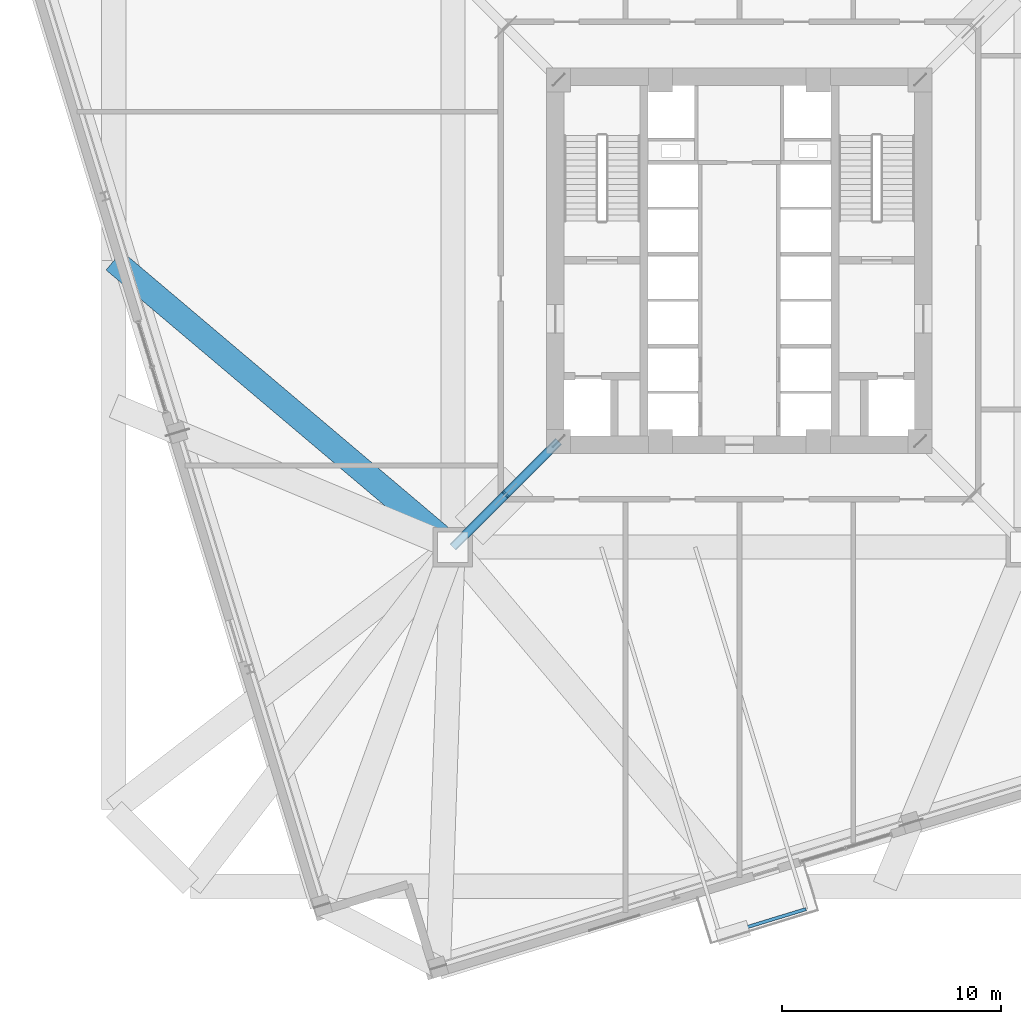
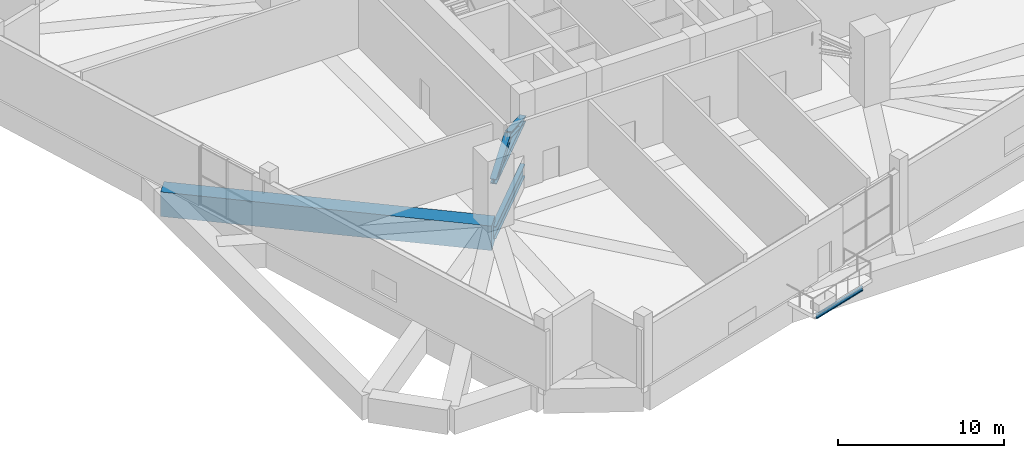
# One storey, part 4 of 22: 3 beams, 3 members.
"""IFC4 building model written with IfcOpenShell, lengths in metres."""

import ifcopenshell
import ifcopenshell.guid

model = None  # the IFC model being written
_history = None  # IfcOwnerHistory: only IFC2X3 demands one
_inside = {}  # id of a spatial element -> (the spatial element, [elements in it])
_under = {}  # id of a project, library or spatial element -> (it, [spatial elements below it])
_declared = {}  # id of a project -> (the project, [libraries it declares])
_typed = {}  # id of a type object -> (the type object, [elements of that type])
_made_of = {}  # id of a material, layer set ... -> (it, [elements and type objects made of it])


def new_model(schema):
    """Start an empty IFC model of exactly this schema.

    Asked for "IFC4X3", IfcOpenShell would pick the latest addendum, in which some entities
    have other attributes; the version numbers below select the first issue.
    IFC2X3 requires an IfcOwnerHistory on every rooted entity: one is made here for all.
    """
    global model, _history
    if schema == "IFC4X3":
        model = ifcopenshell.file(schema_version=(4, 3, 0, 0))
    else:
        model = ifcopenshell.file(schema=schema)
    _inside.clear()
    _under.clear()
    _declared.clear()
    _typed.clear()
    _made_of.clear()
    _history = None
    if model.schema == "IFC2X3":
        org = make("IfcOrganization", Name="unknown")
        user = make(
            "IfcPersonAndOrganization",
            ThePerson=make("IfcPerson", FamilyName="unknown"),
            TheOrganization=org,
        )
        app = make(
            "IfcApplication",
            ApplicationDeveloper=org,
            Version="unknown",
            ApplicationFullName="unknown",
            ApplicationIdentifier="unknown",
        )
        _history = make(
            "IfcOwnerHistory",
            OwningUser=user,
            OwningApplication=app,
            ChangeAction="ADDED",
            CreationDate=0,
        )
    return model


def make(cls, **values):
    """One entity of the class cls with the attributes given. An attribute that is None is left unset."""
    return model.create_entity(
        cls, **{name: value for name, value in values.items() if value is not None}
    )


def rooted(cls, **values):
    """An entity with a GlobalId (a new one), such as an element, a storey or a relation."""
    return make(cls, GlobalId=ifcopenshell.guid.new(), OwnerHistory=_history, **values)


def si_unit(unit_type, name, prefix=None):
    """IfcSIUnit, for example si_unit("LENGTHUNIT", "METRE", prefix="MILLI")."""
    return make("IfcSIUnit", UnitType=unit_type, Prefix=prefix, Name=name)


def assignment(units):
    """IfcUnitAssignment: the units of a project."""
    return None if units is None else make("IfcUnitAssignment", Units=units)


def point(xyz):
    """IfcCartesianPoint."""
    return None if xyz is None else make("IfcCartesianPoint", Coordinates=xyz)


def direction(xyz):
    """IfcDirection."""
    return None if xyz is None else make("IfcDirection", DirectionRatios=xyz)


def frame(location, z_axis=None, x_axis=None):
    """IfcAxis2Placement3D, a coordinate frame: its origin and axes. An axis left out is left unset."""
    return make(
        "IfcAxis2Placement3D",
        Location=point(location),
        Axis=direction(z_axis),
        RefDirection=direction(x_axis),
    )


def frame_2d(location, x_axis=None):
    """IfcAxis2Placement2D, a coordinate frame in the plane: its origin and x axis."""
    return make(
        "IfcAxis2Placement2D", Location=point(location), RefDirection=direction(x_axis)
    )


def origin():
    """The frame at (0, 0, 0) with its axes left unset."""
    return frame((0.0, 0.0, 0.0))


def origin_2d():
    """The frame at (0, 0) in the plane with its x axis left unset."""
    return frame_2d((0.0, 0.0))


def place(relative_to, where):
    """IfcLocalPlacement: puts the frame where relative to a parent placement (None: the world)."""
    return make(
        "IfcLocalPlacement", PlacementRelTo=relative_to, RelativePlacement=where
    )


def context(
    kind, dimensions, precision=None, world=None, true_north=None, identifier=None
):
    """IfcGeometricRepresentationContext, for example the 3D "Model" context."""
    return make(
        "IfcGeometricRepresentationContext",
        ContextIdentifier=identifier,
        ContextType=kind,
        CoordinateSpaceDimension=dimensions,
        Precision=precision,
        WorldCoordinateSystem=world,
        TrueNorth=true_north,
    )


def subcontext(parent, identifier, kind, view, scale=None):
    """IfcGeometricRepresentationSubContext, for example "Body" below "Model"."""
    return make(
        "IfcGeometricRepresentationSubContext",
        ContextIdentifier=identifier,
        ContextType=kind,
        ParentContext=parent,
        TargetScale=scale,
        TargetView=view,
    )


def project(units=None, contexts=None):
    """IfcProject with its units and contexts."""
    return rooted(
        "IfcProject",
        Name="project",
        RepresentationContexts=contexts,
        UnitsInContext=assignment(units),
    )


def spatial(cls, under=None, at=None, **own):
    """A site, building, storey or space (cls), placed at a placement, below another one or the project."""
    s = rooted(cls, ObjectPlacement=at, **own)
    if under is not None:
        _under.setdefault(under.id(), (under, []))[1].append(s)
    return s


def profile(cls, at=None, kind="AREA", **sizes):
    """A parametric profile (cls). Its sizes go by their IFC names, for example OverallWidth=200.0."""
    return make(cls, ProfileType=kind, Position=at, **sizes)


def rectangle(**sizes):
    """IfcRectangleProfileDef."""
    return profile("IfcRectangleProfileDef", **sizes)


def i_section(**sizes):
    """IfcIShapeProfileDef."""
    return profile("IfcIShapeProfileDef", **sizes)


def extrude(swept, where, along, depth):
    """IfcExtrudedAreaSolid: the profile swept, set in the frame where, extruded along a direction by depth."""
    return make(
        "IfcExtrudedAreaSolid",
        SweptArea=swept,
        Position=where,
        ExtrudedDirection=direction(along),
        Depth=depth,
    )


def shape(context_of_items, identifier, shape_type, items):
    """IfcShapeRepresentation: the items that make up one representation, for example the "Body"."""
    return make(
        "IfcShapeRepresentation",
        ContextOfItems=context_of_items,
        RepresentationIdentifier=identifier,
        RepresentationType=shape_type,
        Items=items,
    )


def source(mapping_origin, context_of_items, identifier, shape_type, items):
    """IfcRepresentationMap: a shape defined once, which mapped items show again and again."""
    return make(
        "IfcRepresentationMap",
        MappingOrigin=mapping_origin,
        MappedRepresentation=shape(context_of_items, identifier, shape_type, items),
    )


def transform(
    local_origin,
    x_axis=None,
    y_axis=None,
    z_axis=None,
    scale=None,
    scale2=None,
    scale3=None,
    uniform=True,
):
    """IfcCartesianTransformationOperator3D, or its non-uniform kind. x_axis, y_axis, z_axis: its Axis1, 2, 3."""
    if uniform:
        return make(
            "IfcCartesianTransformationOperator3D",
            Axis1=direction(x_axis),
            Axis2=direction(y_axis),
            LocalOrigin=point(local_origin),
            Scale=scale,
            Axis3=direction(z_axis),
        )
    return make(
        "IfcCartesianTransformationOperator3DnonUniform",
        Axis1=direction(x_axis),
        Axis2=direction(y_axis),
        LocalOrigin=point(local_origin),
        Scale=scale,
        Axis3=direction(z_axis),
        Scale2=scale2,
        Scale3=scale3,
    )


def mapped(mapping_source, mapping_target):
    """IfcMappedItem: shows the shape of a source again, moved by a transform."""
    return make(
        "IfcMappedItem", MappingSource=mapping_source, MappingTarget=mapping_target
    )


def material(Name=None, Category=None):
    """IfcMaterial."""
    return make("IfcMaterial", Name=Name, Category=Category)


def material_profile(
    of_material, cross_section, Name=None, Category=None, Priority=None
):
    """IfcMaterialProfile: a cross section and its material."""
    return make(
        "IfcMaterialProfile",
        Name=Name,
        Material=of_material,
        Profile=cross_section,
        Priority=Priority,
        Category=Category,
    )


def profile_set(profiles, Name=None, composite=None):
    """IfcMaterialProfileSet."""
    return make(
        "IfcMaterialProfileSet",
        Name=Name,
        MaterialProfiles=profiles,
        CompositeProfile=composite,
    )


def made_of(thing, what):
    """Note that an element or type object is made of a material, layer set ...; save() writes the relation."""
    if what is not None:
        _made_of.setdefault(what.id(), (what, []))[1].append(thing)
    return thing


def type_object(cls, material=None, **own):
    """A type object (cls), such as IfcWallType, which elements share."""
    return made_of(rooted(cls, **own), material)


def element(
    cls,
    number,
    at=None,
    inside=None,
    cuts=None,
    type_object=None,
    material=None,
    context=None,
    identifier="Body",
    shape_type=None,
    held_by="IfcProductDefinitionShape",
    body=None,
    shapes=None,
    **own,
):
    """One element of the class cls, such as IfcWall. Its Tag is "e" and its number.

    at: its placement. inside: the storey or other place that contains it. cuts: it is an
    opening in that element (IfcRelVoidsElement). A single representation is given by context,
    identifier, shape_type and body (its items); several are given by shapes. held_by: the class
    of the entity that holds the representations. save() writes the other relations.
    """
    e = rooted(cls, Tag="e%d" % number, ObjectPlacement=at, **own)
    if body is not None:
        shapes = [shape(context, identifier, shape_type, body)]
    if shapes is not None:
        e.Representation = make(held_by, Representations=shapes)
    if inside is not None:
        _inside.setdefault(inside.id(), (inside, []))[1].append(e)
    if cuts is not None:
        rooted(
            "IfcRelVoidsElement", RelatingBuildingElement=cuts, RelatedOpeningElement=e
        )
    if type_object is not None:
        _typed.setdefault(type_object.id(), (type_object, []))[1].append(e)
    return made_of(e, material)


def aggregate(whole, parts):
    """IfcRelAggregates: a whole, such as a stair, and the parts it consists of."""
    return rooted("IfcRelAggregates", RelatingObject=whole, RelatedObjects=parts)


def save(model, path):
    """Write the relations noted so far, then the file.

    IfcRelAggregates (storeys below a building ...), IfcRelContainedInSpatialStructure (elements
    in a storey), IfcRelDefinesByType, IfcRelAssociatesMaterial and IfcRelDeclares: one each for
    every whole, place, type object, material and project.
    """
    for whole, parts in _under.values():
        aggregate(whole, parts)
    for where, things in _inside.values():
        rooted(
            "IfcRelContainedInSpatialStructure",
            RelatedElements=things,
            RelatingStructure=where,
        )
    for kind, things in _typed.values():
        rooted("IfcRelDefinesByType", RelatedObjects=things, RelatingType=kind)
    for what, things in _made_of.values():
        rooted("IfcRelAssociatesMaterial", RelatedObjects=things, RelatingMaterial=what)
    for by, libraries in _declared.values():
        rooted("IfcRelDeclares", RelatingContext=by, RelatedDefinitions=libraries)
    model.write(path)


model = new_model("IFC4")

# Units and contexts
model_context = context("Model", 3, precision=1e-05, world=origin(), true_north=direction((0.0, 1.0)))
body_context = subcontext(model_context, "Body", "Model", "MODEL_VIEW")
ifc_project = project(units=[si_unit("LENGTHUNIT", "METRE"), si_unit("AREAUNIT", "SQUARE_METRE"), si_unit("VOLUMEUNIT", "CUBIC_METRE"), si_unit("PLANEANGLEUNIT", "RADIAN"), si_unit("MASSUNIT", "GRAM", prefix="KILO"), si_unit("THERMODYNAMICTEMPERATUREUNIT", "KELVIN")], contexts=[model_context])

# Site, building, storey
site_placement = place(None, origin())
site = spatial("IfcSite", under=ifc_project, at=site_placement, CompositionType="ELEMENT")
building_placement = place(site_placement, origin())
building = spatial("IfcBuilding", under=site, at=building_placement, Name="Kosmvard Interchange Tower", CompositionType="ELEMENT")
storey_placement = place(building_placement, frame((0.0, 0.0, 78.0)))
storey = spatial("IfcBuildingStorey", under=building, at=storey_placement, Name="L18", CompositionType="ELEMENT", Elevation=78.0)

# Beams
ifc_material_1 = material(Name="Steel S460", Category="steel")
ifc_material_profile_1 = material_profile(ifc_material_1, i_section(OverallWidth=0.30810546875, OverallDepth=0.909912109375, WebThickness=0.02099609375, FlangeThickness=0.0400390625, FilletRadius=0.027099609375, at=origin_2d()), Name="HEM 900")
ifc_profile_set_1 = profile_set([ifc_material_profile_1], Name="Steel S460")
beam_type_1 = type_object("IfcBeamType", Name="Primary Mega-Frame Girder HEM 900 S460", PredefinedType="BEAM", material=ifc_profile_set_1)
shared_shape_1 = source(origin(), body_context, "Body", "SweptSolid", [
    extrude(i_section(OverallWidth=0.30810546875, OverallDepth=0.909912109375, WebThickness=0.02099609375, FlangeThickness=0.0400390625, FilletRadius=0.027099609375, at=origin_2d()), origin(), (0.0, 0.0, 1.0), 6.83203125),
])
beam_1_placement = place(storey_placement, frame((-8.25, -8.25, -0.85498046875), z_axis=(-0.707106781187, -0.707106781187, 0.0), x_axis=(0.707106781187, -0.707106781187, 0.0)))
element("IfcBeam", 1, at=beam_1_placement, inside=storey, type_object=beam_type_1, Name="L18 Radial Mega-Frame Girder 1", PredefinedType="BEAM", context=body_context, shape_type="MappedRepresentation", body=[
    mapped(shared_shape_1, transform((0.0, 0.0, 0.0), scale=1.0)),
])
ifc_material_2 = material(Name="Concrete C60/75", Category="concrete")
ifc_material_profile_2 = material_profile(ifc_material_2, rectangle(XDim=1.1201171875, YDim=1.800048828125, at=origin_2d()), Name="TG 1120x1800")
ifc_profile_set_2 = profile_set([ifc_material_profile_2], Name="Concrete C60/75")
beam_type_2 = type_object("IfcBeamType", Name="Zone Long-Span Transfer Girder 1120x1800 C60/75", PredefinedType="USERDEFINED", material=ifc_profile_set_2)
shared_shape_2 = source(origin(), body_context, "Body", "SweptSolid", [
    extrude(rectangle(XDim=1.1201171875, YDim=1.800048828125, at=origin_2d()), origin(), (0.0, 0.0, 1.0), 20.258544921875),
])
beam_2_placement = place(storey_placement, frame((-13.0810546875, -13.0810546875, -0.89990234375), z_axis=(-0.763583268056, 0.645709371734, 0.0), x_axis=(-0.645709371734, -0.763583268056, 0.0)))
element("IfcBeam", 2, at=beam_2_placement, inside=storey, type_object=beam_type_2, Name="BM-L18-LD11", ObjectType="TRANSFER_GIRDER", PredefinedType="USERDEFINED", context=body_context, shape_type="MappedRepresentation", body=[
    mapped(shared_shape_2, transform((0.0, 0.0, 0.0), scale=1.0)),
])
ifc_material_3 = material(Name="Steel S355", Category="steel")
ifc_material_profile_3 = material_profile(ifc_material_3, i_section(OverallWidth=0.14990234375, OverallDepth=0.300048828125, WebThickness=0.007080078125, FlangeThickness=0.0107421875, FilletRadius=0.014892578125, at=origin_2d()), Name="IPE 300")
ifc_profile_set_3 = profile_set([ifc_material_profile_3], Name="Steel S355")
beam_type_3 = type_object("IfcBeamType", Name="Balcony Edge Header Joist IPE 300 S355", PredefinedType="JOIST", material=ifc_profile_set_3)
shared_shape_3 = source(origin(), body_context, "Body", "SweptSolid", [
    extrude(i_section(OverallWidth=0.14990234375, OverallDepth=0.300048828125, WebThickness=0.007080078125, FlangeThickness=0.0107421875, FilletRadius=0.014892578125, at=origin_2d()), origin(), (0.0, 0.0, 1.0), 4.10009765625),
])
beam_3_placement = place(storey_placement, frame((-0.88232421875, -30.803955078125, -0.550048828125), z_axis=(0.956305334411, 0.2923698127, 0.0), x_axis=(-0.2923698127, 0.956305334411, 0.0)))
element("IfcBeam", 3, at=beam_3_placement, inside=storey, type_object=beam_type_3, Name="BM-L18-BJH2", PredefinedType="JOIST", context=body_context, shape_type="MappedRepresentation", body=[
    mapped(shared_shape_3, transform((0.0, 0.0, 0.0), scale=1.0)),
])

# Members
ifc_material_profile_4 = material_profile(ifc_material_1, i_section(OverallWidth=0.40087890625, OverallDepth=0.39892578125, WebThickness=0.0185546875, FlangeThickness=0.028076171875, FilletRadius=0.014892578125, at=origin_2d()), Name="HD 400x314")
ifc_profile_set_4 = profile_set([ifc_material_profile_4], Name="Steel S460")
member_type_1 = type_object("IfcMemberType", Name="Outrigger Top and Bottom Chord HD 400x314 S460", PredefinedType="CHORD", material=ifc_profile_set_4)
shared_shape_4 = source(origin(), body_context, "Body", "SweptSolid", [
    extrude(i_section(OverallWidth=0.40087890625, OverallDepth=0.39892578125, WebThickness=0.0185546875, FlangeThickness=0.028076171875, FilletRadius=0.014892578125, at=origin_2d()), origin(), (0.0, 0.0, 1.0), 6.83203125),
])
member_placement = place(storey_placement, frame((-8.25, -8.25, 2.919921875), z_axis=(-0.707106781187, -0.707106781187, 0.0), x_axis=(0.707106781187, -0.707106781187, 0.0)))
element("IfcMember", 4, at=member_placement, inside=storey, type_object=member_type_1, Name="L18 Outrigger Bottom Chord 1", PredefinedType="CHORD", context=body_context, shape_type="MappedRepresentation", body=[
    mapped(shared_shape_4, transform((0.0, 0.0, 0.0), scale=1.0)),
])
ifc_material_profile_5 = material_profile(ifc_material_1, i_section(OverallWidth=0.408935546875, OverallDepth=0.425048828125, WebThickness=0.02392578125, FlangeThickness=0.0390625, FilletRadius=0.014892578125, at=origin_2d()), Name="HD 400x421")
ifc_profile_set_5 = profile_set([ifc_material_profile_5], Name="Steel S460")
member_type_2 = type_object("IfcMemberType", Name="Radial Outrigger Diagonal HD 400x421 S460", PredefinedType="BRACE", material=ifc_profile_set_5)
shared_shape_5 = source(origin(), body_context, "Body", "SweptSolid", [
    extrude(i_section(OverallWidth=0.408935546875, OverallDepth=0.425048828125, WebThickness=0.02392578125, FlangeThickness=0.0390625, FilletRadius=0.014892578125, at=origin_2d()), origin(), (0.0, 0.0, 1.0), 3.592041015625),
])
for number, where, z_axis, x_axis, name in (
    (5, (-8.25, -8.25, 2.919921875), (-0.672489341333, -0.672489341333, 0.309056906715), (0.707106781187, -0.707106781187, 0.0), "L18 Outrigger Diagonal 1A"),
    (6, (-10.66552734375, -10.66552734375, 4.030029296875), (-0.672489341333, -0.672489341333, -0.309056906715), (0.707106781187, -0.707106781187, 0.0), "L18 Outrigger Diagonal 1B"),
):
    element("IfcMember", number, at=place(storey_placement, frame(where, z_axis=z_axis, x_axis=x_axis)), inside=storey, type_object=member_type_2, Name=name, PredefinedType="BRACE", context=body_context, shape_type="MappedRepresentation", body=[
        mapped(shared_shape_5, transform((0.0, 0.0, 0.0), scale=1.0)),
    ])

save(model, "model.ifc")
